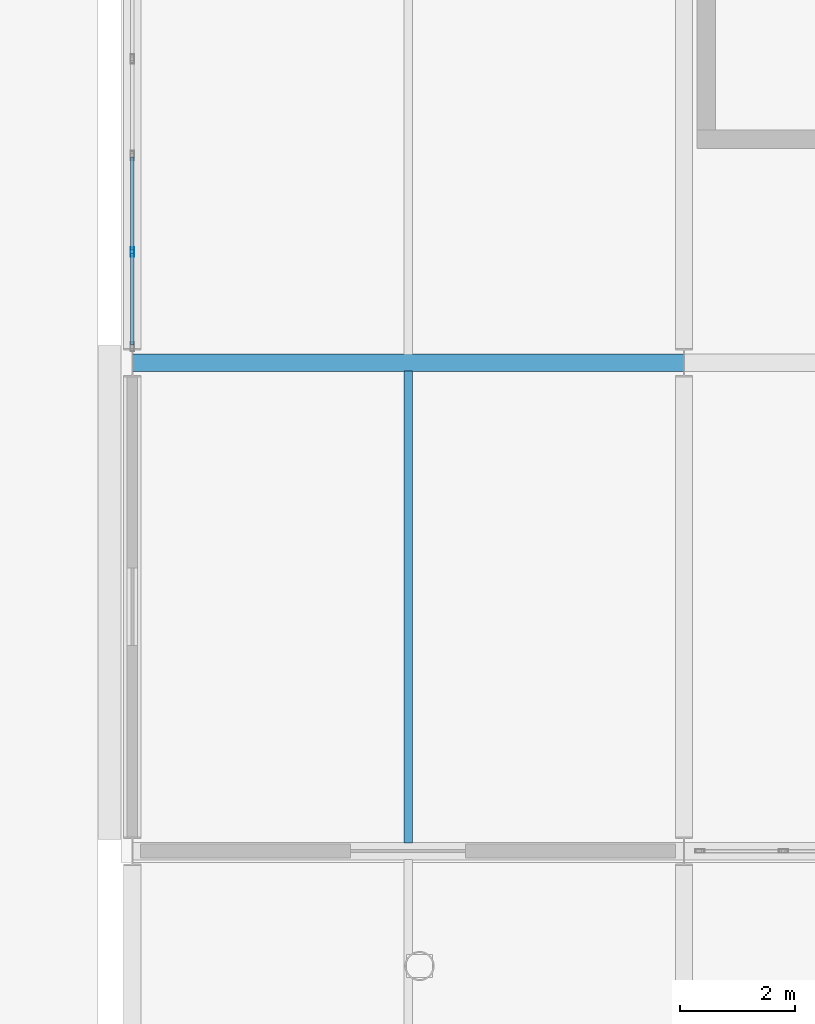
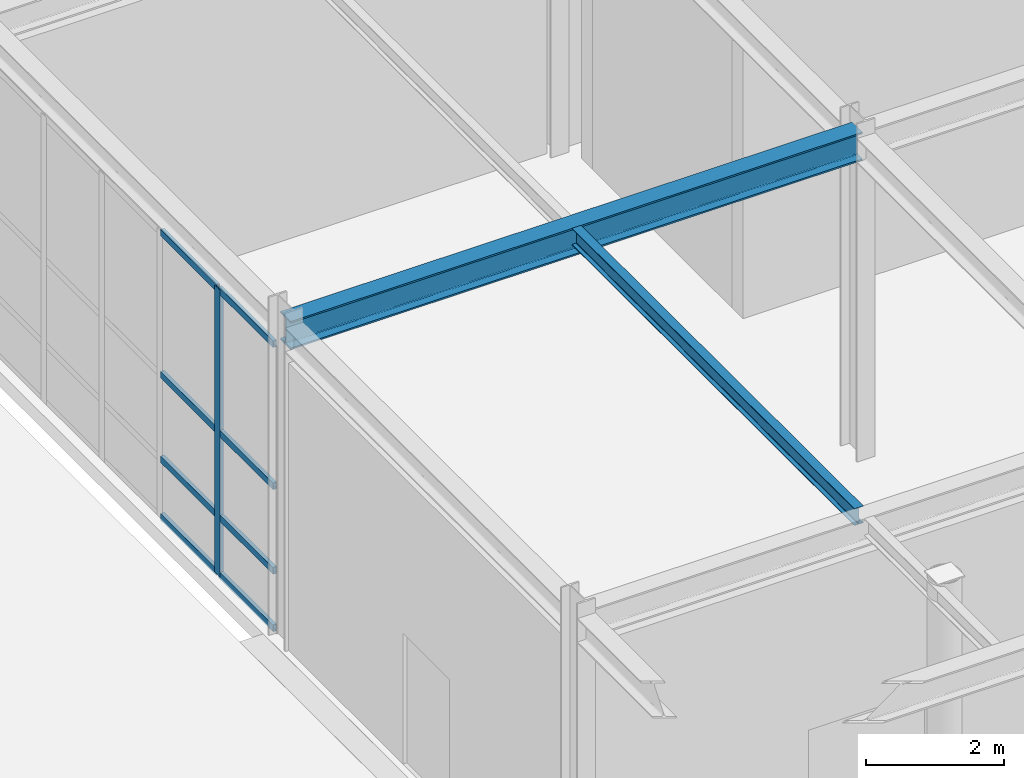
# One storey, part 71 of 146: 9 members, 2 beams, 1 element without a shape of its own.
"""IFC4 building model written with IfcOpenShell, lengths in metres."""

from ifc_helpers import new_model, si_unit, direction, frame, origin, origin_2d, place, context, subcontext, project, spatial, hollow_rectangle, i_section, extrude, material, material_profile, profile_set, type_object, element, aggregate, save


model = new_model("IFC4")

# Units and contexts
model_context = context("Model", 3, precision=1e-05, world=origin(), true_north=direction((0.0, 1.0)))
body_context = subcontext(model_context, "Body", "Model", "MODEL_VIEW")
ifc_project = project(units=[si_unit("LENGTHUNIT", "METRE"), si_unit("AREAUNIT", "SQUARE_METRE"), si_unit("VOLUMEUNIT", "CUBIC_METRE"), si_unit("PLANEANGLEUNIT", "RADIAN"), si_unit("MASSUNIT", "GRAM", prefix="KILO")], contexts=[model_context])

# Site, building, storey
site_placement = place(None, origin())
site = spatial("IfcSite", under=ifc_project, at=site_placement, CompositionType="ELEMENT")
building_placement = place(site_placement, origin())
building = spatial("IfcBuilding", under=site, at=building_placement, Name="Kaldris Quays Convention Centre", CompositionType="ELEMENT")
storey_placement = place(building_placement, origin())
storey = spatial("IfcBuildingStorey", under=building, at=storey_placement, Name="L00", CompositionType="ELEMENT", Elevation=0.0)

# Curtain wall, members
ifc_material_1 = material(Name="Anodized aluminium AW-6060 and triple glazing", Category="aluminium")
curtain_wall_type = type_object("IfcCurtainWallType", Name="UNITISED CURTAIN WALL CW02", PredefinedType="NOTDEFINED", material=ifc_material_1)
curtain_wall_placement = place(storey_placement, origin())
curtain_wall = element("IfcCurtainWall", 1, at=curtain_wall_placement, inside=storey, type_object=curtain_wall_type, Name="L00 Unitised Curtain Wall CW02 183", PredefinedType="NOTDEFINED")
ifc_material_2 = material(Name="Anodized aluminium AW-6060", Category="aluminium")
ifc_material_profile_1 = material_profile(ifc_material_2, hollow_rectangle(XDim=0.06005859375, YDim=0.159912109375, WallThickness=0.00390625, at=origin_2d()), Name="RHS 160x60x4")
ifc_profile_set_1 = profile_set([ifc_material_profile_1], Name="Anodized aluminium AW-6060")
member_type_1 = type_object("IfcMemberType", Name="CURTAIN MULLION CWM1", PredefinedType="MULLION", material=ifc_profile_set_1)
member_1_placement = place(storey_placement, frame((155.0, 30.429931640625, 0.0), z_axis=(0.0, 0.0, 1.0), x_axis=(-1.0, 0.0, 0.0)))
member_1 = element("IfcMember", 2, at=member_1_placement, type_object=member_type_1, Name="CW02 mullion 2", PredefinedType="MULLION", context=body_context, shape_type="SweptSolid", body=[
    extrude(hollow_rectangle(XDim=0.06005859375, YDim=0.159912109375, WallThickness=0.00390625, at=origin_2d()), origin(), (0.0, 0.0, 1.0), 5.10009765625),
])
ifc_material_profile_2 = material_profile(ifc_material_2, hollow_rectangle(XDim=0.06005859375, YDim=0.1201171875, WallThickness=0.00390625, at=origin_2d()), Name="RHS 120x60x4")
ifc_profile_set_2 = profile_set([ifc_material_profile_2], Name="Anodized aluminium AW-6060")
member_type_2 = type_object("IfcMemberType", Name="CURTAIN TRANSOM CWT1", PredefinedType="USERDEFINED", material=ifc_profile_set_2)
member_2_placement = place(storey_placement, frame((155.0, 28.81005859375, 0.030029296875), z_axis=(0.0, 1.0, 0.0), x_axis=(-1.0, 0.0, 0.0)))
member_2 = element("IfcMember", 3, at=member_2_placement, type_object=member_type_2, Name="CW02 transom 1.1", ObjectType="TRANSOM", PredefinedType="USERDEFINED", context=body_context, shape_type="SweptSolid", body=[
    extrude(hollow_rectangle(XDim=0.06005859375, YDim=0.1201171875, WallThickness=0.00390625, at=origin_2d()), origin(), (0.0, 0.0, 1.0), 1.58984375),
])
member_3_placement = place(storey_placement, frame((155.0, 28.81005859375, 1.050048828125), z_axis=(0.0, 1.0, 0.0), x_axis=(-1.0, 0.0, 0.0)))
member_3 = element("IfcMember", 4, at=member_3_placement, type_object=member_type_2, Name="CW02 transom 1.2", ObjectType="TRANSOM", PredefinedType="USERDEFINED", context=body_context, shape_type="SweptSolid", body=[
    extrude(hollow_rectangle(XDim=0.06005859375, YDim=0.1201171875, WallThickness=0.00390625, at=origin_2d()), origin(), (0.0, 0.0, 1.0), 1.58984375),
])
member_4_placement = place(storey_placement, frame((155.0, 28.81005859375, 2.550048828125), z_axis=(0.0, 1.0, 0.0), x_axis=(-1.0, 0.0, 0.0)))
member_4 = element("IfcMember", 5, at=member_4_placement, type_object=member_type_2, Name="CW02 transom 1.3", ObjectType="TRANSOM", PredefinedType="USERDEFINED", context=body_context, shape_type="SweptSolid", body=[
    extrude(hollow_rectangle(XDim=0.06005859375, YDim=0.1201171875, WallThickness=0.00390625, at=origin_2d()), origin(), (0.0, 0.0, 1.0), 1.58984375),
])
member_5_placement = place(storey_placement, frame((155.0, 28.81005859375, 5.070068359375), z_axis=(0.0, 1.0, 0.0), x_axis=(-1.0, 0.0, 0.0)))
member_5 = element("IfcMember", 6, at=member_5_placement, type_object=member_type_2, Name="CW02 transom 1.4", ObjectType="TRANSOM", PredefinedType="USERDEFINED", context=body_context, shape_type="SweptSolid", body=[
    extrude(hollow_rectangle(XDim=0.06005859375, YDim=0.1201171875, WallThickness=0.00390625, at=origin_2d()), origin(), (0.0, 0.0, 1.0), 1.58984375),
])
member_6_placement = place(storey_placement, frame((155.0, 30.4599609375, 0.030029296875), z_axis=(0.0, 1.0, 0.0), x_axis=(-1.0, 0.0, 0.0)))
member_6 = element("IfcMember", 7, at=member_6_placement, type_object=member_type_2, Name="CW02 transom 2.1", ObjectType="TRANSOM", PredefinedType="USERDEFINED", context=body_context, shape_type="SweptSolid", body=[
    extrude(hollow_rectangle(XDim=0.06005859375, YDim=0.1201171875, WallThickness=0.00390625, at=origin_2d()), origin(), (0.0, 0.0, 1.0), 1.6201171875),
])
member_7_placement = place(storey_placement, frame((155.0, 30.4599609375, 1.050048828125), z_axis=(0.0, 1.0, 0.0), x_axis=(-1.0, 0.0, 0.0)))
member_7 = element("IfcMember", 8, at=member_7_placement, type_object=member_type_2, Name="CW02 transom 2.2", ObjectType="TRANSOM", PredefinedType="USERDEFINED", context=body_context, shape_type="SweptSolid", body=[
    extrude(hollow_rectangle(XDim=0.06005859375, YDim=0.1201171875, WallThickness=0.00390625, at=origin_2d()), origin(), (0.0, 0.0, 1.0), 1.6201171875),
])
member_8_placement = place(storey_placement, frame((155.0, 30.4599609375, 2.550048828125), z_axis=(0.0, 1.0, 0.0), x_axis=(-1.0, 0.0, 0.0)))
member_8 = element("IfcMember", 9, at=member_8_placement, type_object=member_type_2, Name="CW02 transom 2.3", ObjectType="TRANSOM", PredefinedType="USERDEFINED", context=body_context, shape_type="SweptSolid", body=[
    extrude(hollow_rectangle(XDim=0.06005859375, YDim=0.1201171875, WallThickness=0.00390625, at=origin_2d()), origin(), (0.0, 0.0, 1.0), 1.6201171875),
])
member_9_placement = place(storey_placement, frame((155.0, 30.4599609375, 5.070068359375), z_axis=(0.0, 1.0, 0.0), x_axis=(-1.0, 0.0, 0.0)))
member_9 = element("IfcMember", 10, at=member_9_placement, type_object=member_type_2, Name="CW02 transom 2.4", ObjectType="TRANSOM", PredefinedType="USERDEFINED", context=body_context, shape_type="SweptSolid", body=[
    extrude(hollow_rectangle(XDim=0.06005859375, YDim=0.1201171875, WallThickness=0.00390625, at=origin_2d()), origin(), (0.0, 0.0, 1.0), 1.6201171875),
])
aggregate(curtain_wall, [member_1, member_2, member_3, member_4, member_5, member_6, member_7, member_8, member_9])

# Beams
ifc_material_3 = material(Name="Steel S355J2", Category="steel")
ifc_material_profile_3 = material_profile(ifc_material_3, i_section(OverallWidth=0.300048828125, OverallDepth=0.5, WebThickness=0.014404296875, FlangeThickness=0.028076171875, FilletRadius=0.027099609375, at=origin_2d()), Name="HEB 500")
ifc_profile_set_3 = profile_set([ifc_material_profile_3], Name="Steel S355J2")
beam_type_1 = type_object("IfcBeamType", Name="STRUCTURAL BEAM BM06", PredefinedType="BEAM", material=ifc_profile_set_3)
beam_1_placement = place(storey_placement, frame((155.001220703125, 28.5, 5.492919921875), z_axis=(1.0, 0.0, 0.0), x_axis=(0.0, 1.0, 0.0)))
element("IfcBeam", 11, at=beam_1_placement, inside=storey, type_object=beam_type_1, Name="L00 Girder BM06 11", PredefinedType="BEAM", context=body_context, shape_type="SweptSolid", body=[
    extrude(i_section(OverallWidth=0.300048828125, OverallDepth=0.5, WebThickness=0.014404296875, FlangeThickness=0.028076171875, FilletRadius=0.027099609375, at=origin_2d()), origin(), (0.0, 0.0, 1.0), 9.597412109375),
])
ifc_material_profile_4 = material_profile(ifc_material_3, i_section(OverallWidth=0.14990234375, OverallDepth=0.300048828125, WebThickness=0.007080078125, FlangeThickness=0.0107421875, FilletRadius=0.014892578125, at=origin_2d()), Name="IPE 300")
ifc_profile_set_4 = profile_set([ifc_material_profile_4], Name="Steel S355J2")
beam_type_2 = type_object("IfcBeamType", Name="STRUCTURAL BEAM JT04", PredefinedType="JOIST", material=ifc_profile_set_4)
beam_2_placement = place(storey_placement, frame((159.800048828125, 20.14404296875, 5.593017578125), z_axis=(0.0, 1.0, 0.0), x_axis=(-1.0, 0.0, 0.0)))
element("IfcBeam", 12, at=beam_2_placement, inside=storey, type_object=beam_type_2, Name="L00 Secondary Joist JT04 6", PredefinedType="JOIST", context=body_context, shape_type="SweptSolid", body=[
    extrude(i_section(OverallWidth=0.14990234375, OverallDepth=0.300048828125, WebThickness=0.007080078125, FlangeThickness=0.0107421875, FilletRadius=0.014892578125, at=origin_2d()), origin(), (0.0, 0.0, 1.0), 8.2119140625),
])

save(model, "model.ifc")
